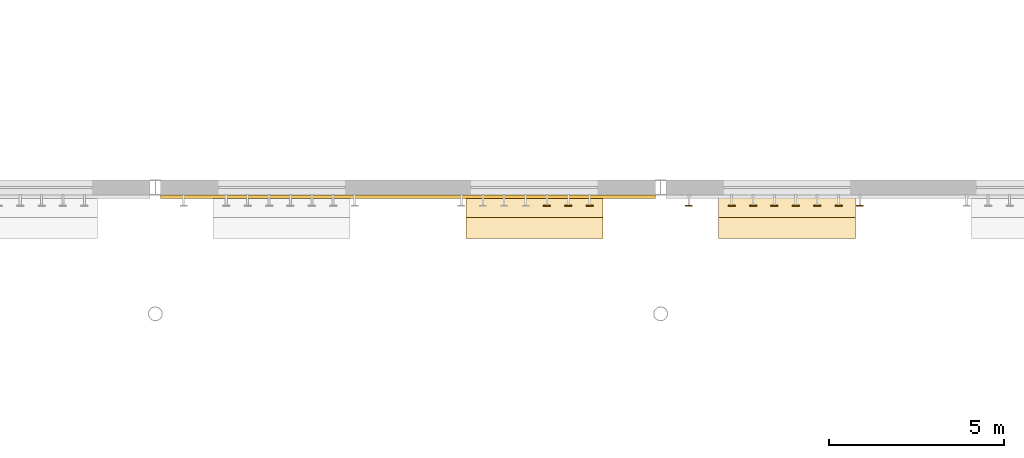
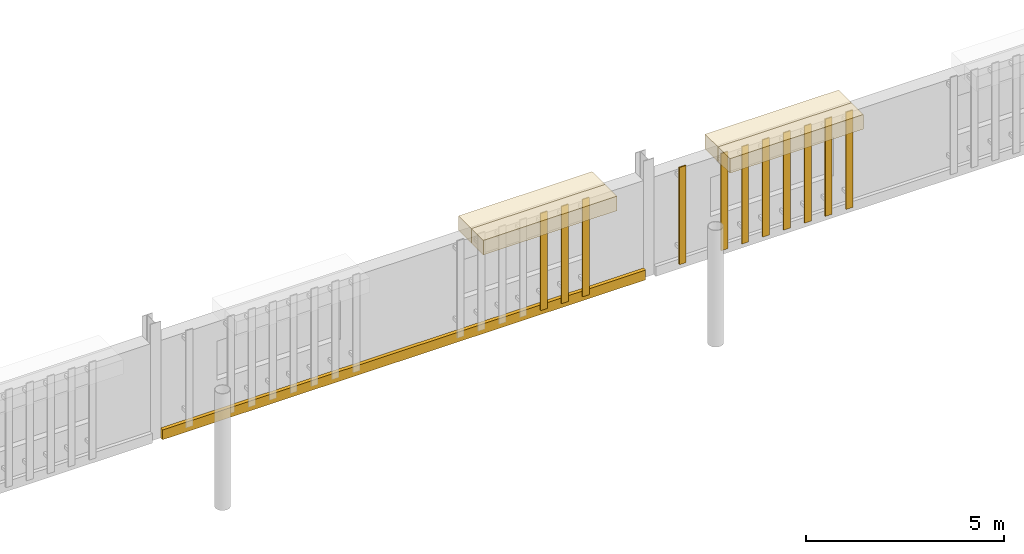
# One storey, part 113 of 124: 11 shading devices, 5 coverings.
"""IFC4 building model written with IfcOpenShell, lengths in metres."""

import ifcopenshell
import ifcopenshell.guid

model = None  # the IFC model being written
_history = None  # IfcOwnerHistory: only IFC2X3 demands one
_inside = {}  # id of a spatial element -> (the spatial element, [elements in it])
_under = {}  # id of a project, library or spatial element -> (it, [spatial elements below it])
_declared = {}  # id of a project -> (the project, [libraries it declares])
_typed = {}  # id of a type object -> (the type object, [elements of that type])
_made_of = {}  # id of a material, layer set ... -> (it, [elements and type objects made of it])


def new_model(schema):
    """Start an empty IFC model of exactly this schema.

    Asked for "IFC4X3", IfcOpenShell would pick the latest addendum, in which some entities
    have other attributes; the version numbers below select the first issue.
    IFC2X3 requires an IfcOwnerHistory on every rooted entity: one is made here for all.
    """
    global model, _history
    if schema == "IFC4X3":
        model = ifcopenshell.file(schema_version=(4, 3, 0, 0))
    else:
        model = ifcopenshell.file(schema=schema)
    _inside.clear()
    _under.clear()
    _declared.clear()
    _typed.clear()
    _made_of.clear()
    _history = None
    if model.schema == "IFC2X3":
        org = make("IfcOrganization", Name="unknown")
        user = make(
            "IfcPersonAndOrganization",
            ThePerson=make("IfcPerson", FamilyName="unknown"),
            TheOrganization=org,
        )
        app = make(
            "IfcApplication",
            ApplicationDeveloper=org,
            Version="unknown",
            ApplicationFullName="unknown",
            ApplicationIdentifier="unknown",
        )
        _history = make(
            "IfcOwnerHistory",
            OwningUser=user,
            OwningApplication=app,
            ChangeAction="ADDED",
            CreationDate=0,
        )
    return model


def make(cls, **values):
    """One entity of the class cls with the attributes given. An attribute that is None is left unset."""
    return model.create_entity(
        cls, **{name: value for name, value in values.items() if value is not None}
    )


def rooted(cls, **values):
    """An entity with a GlobalId (a new one), such as an element, a storey or a relation."""
    return make(cls, GlobalId=ifcopenshell.guid.new(), OwnerHistory=_history, **values)


def si_unit(unit_type, name, prefix=None):
    """IfcSIUnit, for example si_unit("LENGTHUNIT", "METRE", prefix="MILLI")."""
    return make("IfcSIUnit", UnitType=unit_type, Prefix=prefix, Name=name)


def assignment(units):
    """IfcUnitAssignment: the units of a project."""
    return None if units is None else make("IfcUnitAssignment", Units=units)


def point(xyz):
    """IfcCartesianPoint."""
    return None if xyz is None else make("IfcCartesianPoint", Coordinates=xyz)


def direction(xyz):
    """IfcDirection."""
    return None if xyz is None else make("IfcDirection", DirectionRatios=xyz)


def frame(location, z_axis=None, x_axis=None):
    """IfcAxis2Placement3D, a coordinate frame: its origin and axes. An axis left out is left unset."""
    return make(
        "IfcAxis2Placement3D",
        Location=point(location),
        Axis=direction(z_axis),
        RefDirection=direction(x_axis),
    )


def frame_2d(location, x_axis=None):
    """IfcAxis2Placement2D, a coordinate frame in the plane: its origin and x axis."""
    return make(
        "IfcAxis2Placement2D", Location=point(location), RefDirection=direction(x_axis)
    )


def origin():
    """The frame at (0, 0, 0) with its axes left unset."""
    return frame((0.0, 0.0, 0.0))


def origin_2d():
    """The frame at (0, 0) in the plane with its x axis left unset."""
    return frame_2d((0.0, 0.0))


def place(relative_to, where):
    """IfcLocalPlacement: puts the frame where relative to a parent placement (None: the world)."""
    return make(
        "IfcLocalPlacement", PlacementRelTo=relative_to, RelativePlacement=where
    )


def context(
    kind, dimensions, precision=None, world=None, true_north=None, identifier=None
):
    """IfcGeometricRepresentationContext, for example the 3D "Model" context."""
    return make(
        "IfcGeometricRepresentationContext",
        ContextIdentifier=identifier,
        ContextType=kind,
        CoordinateSpaceDimension=dimensions,
        Precision=precision,
        WorldCoordinateSystem=world,
        TrueNorth=true_north,
    )


def subcontext(parent, identifier, kind, view, scale=None):
    """IfcGeometricRepresentationSubContext, for example "Body" below "Model"."""
    return make(
        "IfcGeometricRepresentationSubContext",
        ContextIdentifier=identifier,
        ContextType=kind,
        ParentContext=parent,
        TargetScale=scale,
        TargetView=view,
    )


def project(units=None, contexts=None):
    """IfcProject with its units and contexts."""
    return rooted(
        "IfcProject",
        Name="project",
        RepresentationContexts=contexts,
        UnitsInContext=assignment(units),
    )


def spatial(cls, under=None, at=None, **own):
    """A site, building, storey or space (cls), placed at a placement, below another one or the project."""
    s = rooted(cls, ObjectPlacement=at, **own)
    if under is not None:
        _under.setdefault(under.id(), (under, []))[1].append(s)
    return s


def profile(cls, at=None, kind="AREA", **sizes):
    """A parametric profile (cls). Its sizes go by their IFC names, for example OverallWidth=200.0."""
    return make(cls, ProfileType=kind, Position=at, **sizes)


def rectangle(**sizes):
    """IfcRectangleProfileDef."""
    return profile("IfcRectangleProfileDef", **sizes)


def extrude(swept, where, along, depth):
    """IfcExtrudedAreaSolid: the profile swept, set in the frame where, extruded along a direction by depth."""
    return make(
        "IfcExtrudedAreaSolid",
        SweptArea=swept,
        Position=where,
        ExtrudedDirection=direction(along),
        Depth=depth,
    )


def shape(context_of_items, identifier, shape_type, items):
    """IfcShapeRepresentation: the items that make up one representation, for example the "Body"."""
    return make(
        "IfcShapeRepresentation",
        ContextOfItems=context_of_items,
        RepresentationIdentifier=identifier,
        RepresentationType=shape_type,
        Items=items,
    )


def material(Name=None, Category=None):
    """IfcMaterial."""
    return make("IfcMaterial", Name=Name, Category=Category)


def layer(
    of_material, thickness, ventilated=None, Name=None, Category=None, Priority=None
):
    """IfcMaterialLayer: one layer of a wall or slab, of a material (None: an air gap)."""
    return make(
        "IfcMaterialLayer",
        Material=of_material,
        LayerThickness=thickness,
        IsVentilated=ventilated,
        Name=Name,
        Category=Category,
        Priority=Priority,
    )


def layer_set(layers, Name=None):
    """IfcMaterialLayerSet."""
    return make("IfcMaterialLayerSet", MaterialLayers=layers, LayerSetName=Name)


def made_of(thing, what):
    """Note that an element or type object is made of a material, layer set ...; save() writes the relation."""
    if what is not None:
        _made_of.setdefault(what.id(), (what, []))[1].append(thing)
    return thing


def type_object(cls, material=None, **own):
    """A type object (cls), such as IfcWallType, which elements share."""
    return made_of(rooted(cls, **own), material)


def element(
    cls,
    number,
    at=None,
    inside=None,
    cuts=None,
    type_object=None,
    material=None,
    context=None,
    identifier="Body",
    shape_type=None,
    held_by="IfcProductDefinitionShape",
    body=None,
    shapes=None,
    **own,
):
    """One element of the class cls, such as IfcWall. Its Tag is "e" and its number.

    at: its placement. inside: the storey or other place that contains it. cuts: it is an
    opening in that element (IfcRelVoidsElement). A single representation is given by context,
    identifier, shape_type and body (its items); several are given by shapes. held_by: the class
    of the entity that holds the representations. save() writes the other relations.
    """
    e = rooted(cls, Tag="e%d" % number, ObjectPlacement=at, **own)
    if body is not None:
        shapes = [shape(context, identifier, shape_type, body)]
    if shapes is not None:
        e.Representation = make(held_by, Representations=shapes)
    if inside is not None:
        _inside.setdefault(inside.id(), (inside, []))[1].append(e)
    if cuts is not None:
        rooted(
            "IfcRelVoidsElement", RelatingBuildingElement=cuts, RelatedOpeningElement=e
        )
    if type_object is not None:
        _typed.setdefault(type_object.id(), (type_object, []))[1].append(e)
    return made_of(e, material)


def aggregate(whole, parts):
    """IfcRelAggregates: a whole, such as a stair, and the parts it consists of."""
    return rooted("IfcRelAggregates", RelatingObject=whole, RelatedObjects=parts)


def save(model, path):
    """Write the relations noted so far, then the file.

    IfcRelAggregates (storeys below a building ...), IfcRelContainedInSpatialStructure (elements
    in a storey), IfcRelDefinesByType, IfcRelAssociatesMaterial and IfcRelDeclares: one each for
    every whole, place, type object, material and project.
    """
    for whole, parts in _under.values():
        aggregate(whole, parts)
    for where, things in _inside.values():
        rooted(
            "IfcRelContainedInSpatialStructure",
            RelatedElements=things,
            RelatingStructure=where,
        )
    for kind, things in _typed.values():
        rooted("IfcRelDefinesByType", RelatedObjects=things, RelatingType=kind)
    for what, things in _made_of.values():
        rooted("IfcRelAssociatesMaterial", RelatedObjects=things, RelatingMaterial=what)
    for by, libraries in _declared.values():
        rooted("IfcRelDeclares", RelatingContext=by, RelatedDefinitions=libraries)
    model.write(path)


model = new_model("IFC4")

# Units and contexts
model_context = context("Model", 3, precision=1e-05, world=origin(), true_north=direction((0.0, 1.0)))
body_context = subcontext(model_context, "Body", "Model", "MODEL_VIEW")
ifc_project = project(units=[si_unit("LENGTHUNIT", "METRE"), si_unit("AREAUNIT", "SQUARE_METRE"), si_unit("VOLUMEUNIT", "CUBIC_METRE"), si_unit("PLANEANGLEUNIT", "RADIAN"), si_unit("MASSUNIT", "GRAM", prefix="KILO")], contexts=[model_context])

# Site, building, storey
site_placement = place(None, origin())
site = spatial("IfcSite", under=ifc_project, at=site_placement, CompositionType="ELEMENT")
building_placement = place(site_placement, origin())
building = spatial("IfcBuilding", under=site, at=building_placement, Name="Kupolbacken Congress Centre", CompositionType="ELEMENT")
storey_placement = place(building_placement, frame((0.0, 0.0, 10.800048828125)))
storey = spatial("IfcBuildingStorey", under=building, at=storey_placement, Name="L03", CompositionType="ELEMENT", Elevation=10.800048828125)

# Coverings
ifc_material_1 = material(Name="Brick cladding", Category="masonry")
ifc_layer_1 = layer(ifc_material_1, 0.10791015625)
ifc_layer_set_1 = layer_set([ifc_layer_1], Name="Brick cladding")
covering_type_1 = type_object("IfcCoveringType", Name="CV2 brick cladding band 108", PredefinedType="CLADDING", material=ifc_layer_set_1)
covering_1_placement = place(storey_placement, frame((158.39990234375, 42.93603515625, 0.0), z_axis=(0.0, 0.0, 1.0), x_axis=(1.0, 0.0, 0.0)))
element("IfcCovering", 1, at=covering_1_placement, inside=storey, type_object=covering_type_1, Name="E/H/S/L03/367/band", PredefinedType="CLADDING", context=body_context, shape_type="SweptSolid", body=[
    extrude(rectangle(XDim=14.10009765625, YDim=0.10791015625, at=origin_2d()), origin(), (0.0, 0.0, 1.0), 0.300048828125),
])
ifc_material_2 = material(Name="Limestone cladding", Category="masonry")
ifc_layer_2 = layer(ifc_material_2, 0.60009765625)
ifc_layer_set_2 = layer_set([ifc_layer_2], Name="Limestone cladding")
covering_type_2 = type_object("IfcCoveringType", Name="CV5 limestone arcade pier 600", PredefinedType="CLADDING", material=ifc_layer_set_2)
covering_2_placement = place(storey_placement, frame((162.0, 42.6650390625, 3.35009765625), z_axis=(0.0, 0.0, 1.0), x_axis=(1.0, 0.0, 0.0)))
element("IfcCovering", 2, at=covering_2_placement, inside=storey, type_object=covering_type_2, Name="F/HR/H/S/fin/10/1/a", PredefinedType="CLADDING", context=body_context, shape_type="SweptSolid", body=[
    extrude(rectangle(XDim=3.89990234375, YDim=0.64990234375, at=origin_2d()), origin(), (0.0, 0.0, 1.0), 0.449951171875),
])
covering_3_placement = place(storey_placement, frame((162.0, 42.0400390625, 3.35009765625), z_axis=(0.0, 0.0, 1.0), x_axis=(1.0, 0.0, 0.0)))
element("IfcCovering", 3, at=covering_3_placement, inside=storey, type_object=covering_type_2, Name="F/HR/H/S/fin/10/1/b", PredefinedType="CLADDING", context=body_context, shape_type="SweptSolid", body=[
    extrude(rectangle(XDim=3.89990234375, YDim=0.60009765625, at=origin_2d()), origin(), (0.0, 0.0, 1.0), 0.449951171875),
])
covering_4_placement = place(storey_placement, frame((169.199951171875, 42.6650390625, 3.35009765625), z_axis=(0.0, 0.0, 1.0), x_axis=(1.0, 0.0, 0.0)))
element("IfcCovering", 4, at=covering_4_placement, inside=storey, type_object=covering_type_2, Name="F/HR/H/S/fin/11/1/a", PredefinedType="CLADDING", context=body_context, shape_type="SweptSolid", body=[
    extrude(rectangle(XDim=3.89990234375, YDim=0.64990234375, at=origin_2d()), origin(), (0.0, 0.0, 1.0), 0.449951171875),
])
covering_5_placement = place(storey_placement, frame((169.199951171875, 42.0400390625, 3.35009765625), z_axis=(0.0, 0.0, 1.0), x_axis=(1.0, 0.0, 0.0)))
element("IfcCovering", 5, at=covering_5_placement, inside=storey, type_object=covering_type_2, Name="F/HR/H/S/fin/11/1/b", PredefinedType="CLADDING", context=body_context, shape_type="SweptSolid", body=[
    extrude(rectangle(XDim=3.89990234375, YDim=0.60009765625, at=origin_2d()), origin(), (0.0, 0.0, 1.0), 0.449951171875),
])

# Shading devices
ifc_material_3 = material(Name="Aluminium alloy louvre", Category="aluminium")
ifc_layer_3 = layer(ifc_material_3, 0.030029296875)
ifc_layer_set_3 = layer_set([ifc_layer_3], Name="Aluminium alloy louvre")
shading_device_type = type_object("IfcShadingDeviceType", Name="SC1 louvre blade 30 x 200", PredefinedType="JALOUSIE", material=ifc_layer_set_3)
for number, where, z_axis, x_axis, name in (
    (6, (162.359130859375, 42.675048828125, 0.300048828125), (0.0, 0.0, 1.0), (1.0, 0.0, 0.0), "E/brise/S/L03/367/B18"),
    (7, (162.96826171875, 42.675048828125, 0.300048828125), (0.0, 0.0, 1.0), (1.0, 0.0, 0.0), "E/brise/S/L03/367/B19"),
    (8, (163.577392578125, 42.675048828125, 0.300048828125), (0.0, 0.0, 1.0), (1.0, 0.0, 0.0), "E/brise/S/L03/367/B20"),
    (9, (166.404541015625, 42.675048828125, 0.300048828125), (0.0, 0.0, 1.0), (1.0, 0.0, 0.0), "E/brise/S/L03/368/B01"),
    (10, (167.622802734375, 42.675048828125, 0.300048828125), (0.0, 0.0, 1.0), (1.0, 0.0, 0.0), "E/brise/S/L03/368/B03"),
    (11, (168.23193359375, 42.675048828125, 0.300048828125), (0.0, 0.0, 1.0), (1.0, 0.0, 0.0), "E/brise/S/L03/368/B04"),
    (12, (168.8408203125, 42.675048828125, 0.300048828125), (0.0, 0.0, 1.0), (1.0, 0.0, 0.0), "E/brise/S/L03/368/B05"),
    (13, (169.449951171875, 42.675048828125, 0.300048828125), (0.0, 0.0, 1.0), (1.0, 0.0, 0.0), "E/brise/S/L03/368/B06"),
    (14, (170.05908203125, 42.675048828125, 0.300048828125), (0.0, 0.0, 1.0), (1.0, 0.0, 0.0), "E/brise/S/L03/368/B07"),
    (15, (170.668212890625, 42.675048828125, 0.300048828125), (0.0, 0.0, 1.0), (1.0, 0.0, 0.0), "E/brise/S/L03/368/B08"),
    (16, (171.27734375, 42.675048828125, 0.300048828125), (0.0, 0.0, 1.0), (1.0, 0.0, 0.0), "E/brise/S/L03/368/B09"),
):
    element("IfcShadingDevice", number, at=place(storey_placement, frame(where, z_axis=z_axis, x_axis=x_axis)), inside=storey, type_object=shading_device_type, Name=name, PredefinedType="JALOUSIE", context=body_context, shape_type="SweptSolid", body=[
        extrude(rectangle(XDim=0.199951171875, YDim=0.030029296875, at=origin_2d()), origin(), (0.0, 0.0, 1.0), 3.0),
    ])

save(model, "model.ifc")
